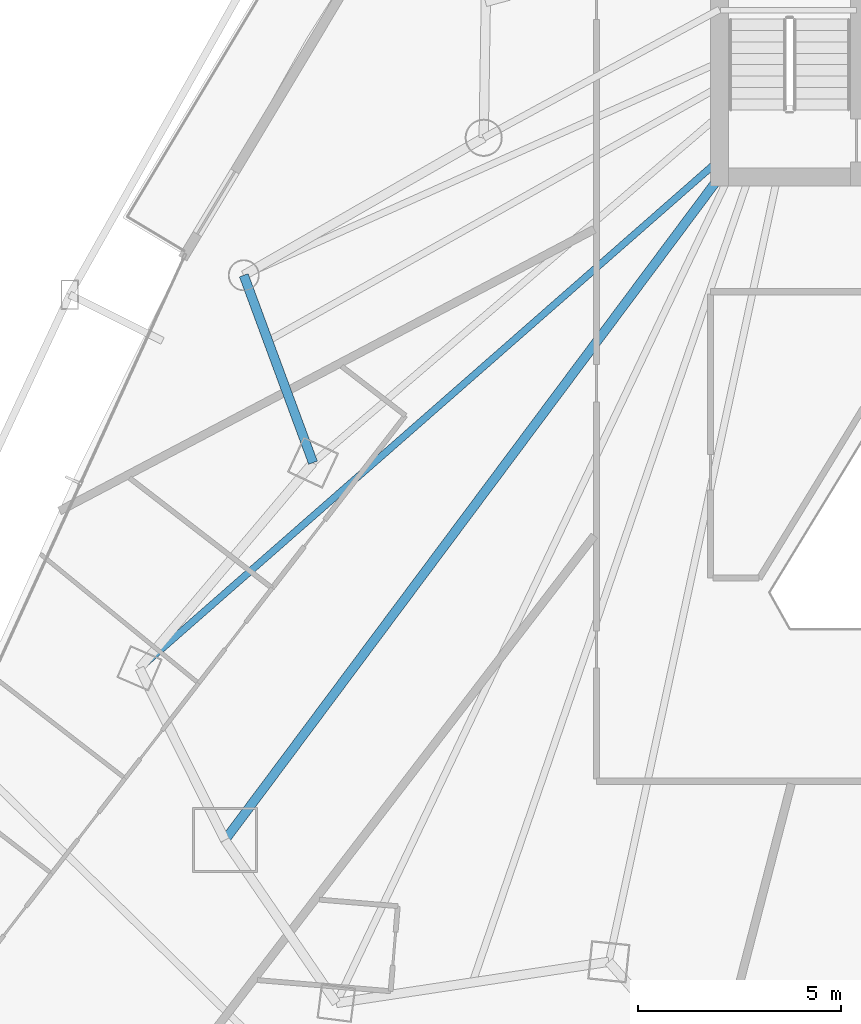
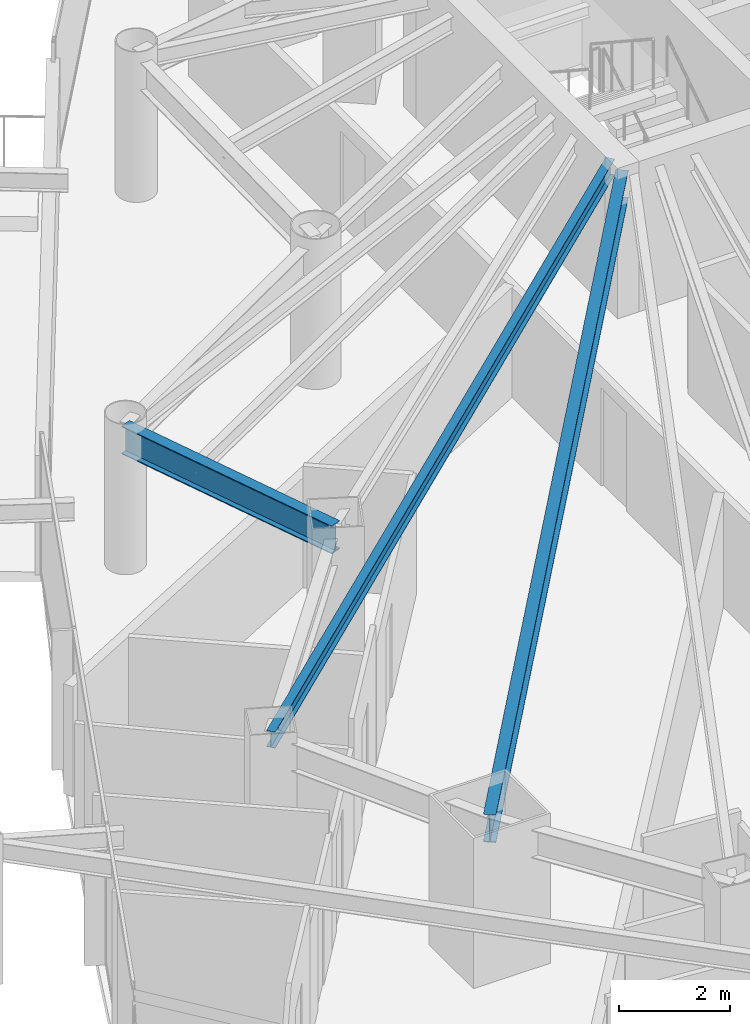
# One storey, part 9 of 34: 3 beams.
"""IFC4 building model written with IfcOpenShell, lengths in metres."""

from ifc_helpers import new_model, si_unit, direction, frame, origin, origin_2d, place, context, subcontext, project, spatial, i_section, extrude, material, material_profile, profile_set, type_object, element, save


model = new_model("IFC4")

# Units and contexts
model_context = context("Model", 3, precision=1e-05, world=origin(), true_north=direction((0.0, 1.0)))
body_context = subcontext(model_context, "Body", "Model", "MODEL_VIEW")
ifc_project = project(units=[si_unit("LENGTHUNIT", "METRE"), si_unit("AREAUNIT", "SQUARE_METRE"), si_unit("VOLUMEUNIT", "CUBIC_METRE"), si_unit("PLANEANGLEUNIT", "RADIAN"), si_unit("MASSUNIT", "GRAM", prefix="KILO")], contexts=[model_context])

# Site, building, storey
site_placement = place(None, origin())
site = spatial("IfcSite", under=ifc_project, at=site_placement, CompositionType="ELEMENT")
building_placement = place(site_placement, origin())
building = spatial("IfcBuilding", under=site, at=building_placement, Name="Orvanel Arch Residences", CompositionType="ELEMENT")
storey_placement = place(building_placement, frame((0.0, 0.0, 74.14990234375)))
storey = spatial("IfcBuildingStorey", under=building, at=storey_placement, Name="L20", CompositionType="ELEMENT", Elevation=74.14990234375)

# Beams
ifc_material = material(Name="Structural steel AS/NZS 3679.1 Grade 300 (300 MPa)", Category="steel")
ifc_material_profile_1 = material_profile(ifc_material, i_section(OverallWidth=0.22900390625, OverallDepth=0.612060546875, WebThickness=0.011962890625, FlangeThickness=0.01953125, at=origin_2d()), Name="610UB125")
ifc_profile_set_1 = profile_set([ifc_material_profile_1], Name="Structural steel AS/NZS 3679.1 Grade 300 (300 MPa)")
beam_type_1 = type_object("IfcBeamType", Name="BG-610UB", PredefinedType="BEAM", material=ifc_profile_set_1)
beam_1_placement = place(storey_placement, frame((26.375, 26.675048828125, 2.754150390625), z_axis=(-0.597893733742, -0.801575375839, 0.0), x_axis=(0.801575375839, -0.597893733742, 0.0)))
element("IfcBeam", 1, at=beam_1_placement, inside=storey, type_object=beam_type_1, Name="L20 South-West Radial Girder", PredefinedType="BEAM", context=body_context, shape_type="SweptSolid", body=[
    extrude(i_section(OverallWidth=0.22900390625, OverallDepth=0.612060546875, WebThickness=0.011962890625, FlangeThickness=0.01953125, at=origin_2d()), origin(), (0.0, 0.0, 1.0), 20.36474609375),
])
ifc_material_profile_2 = material_profile(ifc_material, i_section(OverallWidth=0.1708984375, OverallDepth=0.35595703125, WebThickness=0.00732421875, FlangeThickness=0.011474609375, at=origin_2d()), Name="360UB50.7")
ifc_profile_set_2 = profile_set([ifc_material_profile_2], Name="Structural steel AS/NZS 3679.1 Grade 300 (300 MPa)")
beam_type_2 = type_object("IfcBeamType", Name="BJ-360UB", PredefinedType="JOIST", material=ifc_profile_set_2)
beam_2_placement = place(storey_placement, frame((26.375, 27.10009765625, 2.882080078125), z_axis=(-0.751924114057, -0.659249669472, 0.0), x_axis=(0.659249669472, -0.751924114057, 0.0)))
element("IfcBeam", 2, at=beam_2_placement, inside=storey, type_object=beam_type_2, Name="L20 MW Wing Floor Joist", PredefinedType="JOIST", context=body_context, shape_type="SweptSolid", body=[
    extrude(i_section(OverallWidth=0.1708984375, OverallDepth=0.35595703125, WebThickness=0.00732421875, FlangeThickness=0.011474609375, at=origin_2d()), origin(), (0.0, 0.0, 1.0), 18.9912109375),
])
ifc_material_profile_3 = material_profile(ifc_material, i_section(OverallWidth=0.22900390625, OverallDepth=0.612060546875, WebThickness=0.011962890625, FlangeThickness=0.01953125, at=origin_2d()), Name="610UB125")
ifc_profile_set_3 = profile_set([ifc_material_profile_3], Name="Structural steel AS/NZS 3679.1 Grade 300 (300 MPa)")
beam_type_3 = type_object("IfcBeamType", Name="SP-610UB", PredefinedType="SPANDREL", material=ifc_profile_set_3)
beam_3_placement = place(storey_placement, frame((14.662109375, 24.256103515625, 2.754150390625), z_axis=(0.346588434017, -0.938017301229, 0.0), x_axis=(0.938017301229, 0.346588434017, 0.0)))
element("IfcBeam", 3, at=beam_3_placement, inside=storey, type_object=beam_type_3, Name="L20 Perimeter Spandrel Beam 22", PredefinedType="SPANDREL", context=body_context, shape_type="SweptSolid", body=[
    extrude(i_section(OverallWidth=0.22900390625, OverallDepth=0.612060546875, WebThickness=0.011962890625, FlangeThickness=0.01953125, at=origin_2d()), origin(), (0.0, 0.0, 1.0), 4.9189453125),
])

save(model, "model.ifc")
